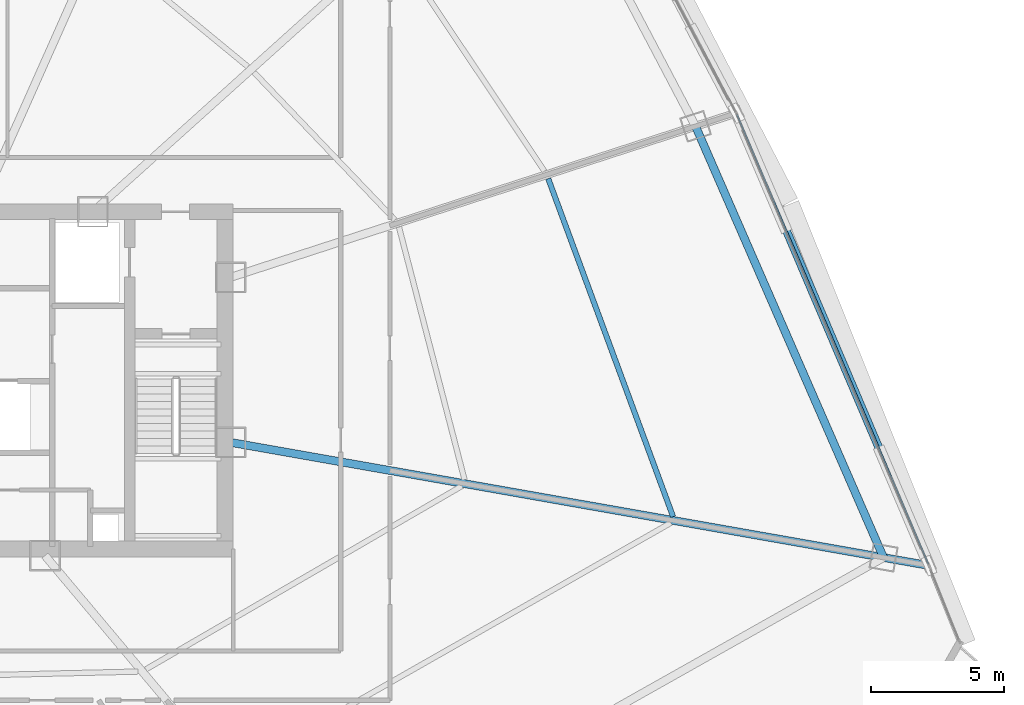
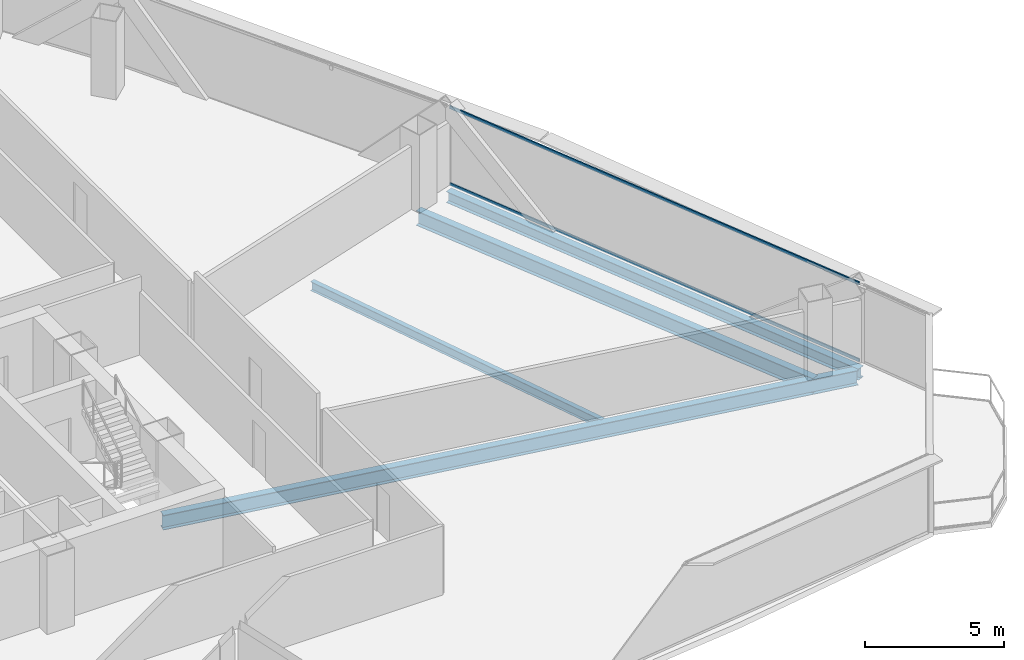
# One storey, part 25 of 39: 4 beams, 2 members, 1 element without a shape of its own.
"""IFC4 building model written with IfcOpenShell, lengths in metres."""

import ifcopenshell
import ifcopenshell.guid

model = None  # the IFC model being written
_history = None  # IfcOwnerHistory: only IFC2X3 demands one
_inside = {}  # id of a spatial element -> (the spatial element, [elements in it])
_under = {}  # id of a project, library or spatial element -> (it, [spatial elements below it])
_declared = {}  # id of a project -> (the project, [libraries it declares])
_typed = {}  # id of a type object -> (the type object, [elements of that type])
_made_of = {}  # id of a material, layer set ... -> (it, [elements and type objects made of it])


def new_model(schema):
    """Start an empty IFC model of exactly this schema.

    Asked for "IFC4X3", IfcOpenShell would pick the latest addendum, in which some entities
    have other attributes; the version numbers below select the first issue.
    IFC2X3 requires an IfcOwnerHistory on every rooted entity: one is made here for all.
    """
    global model, _history
    if schema == "IFC4X3":
        model = ifcopenshell.file(schema_version=(4, 3, 0, 0))
    else:
        model = ifcopenshell.file(schema=schema)
    _inside.clear()
    _under.clear()
    _declared.clear()
    _typed.clear()
    _made_of.clear()
    _history = None
    if model.schema == "IFC2X3":
        org = make("IfcOrganization", Name="unknown")
        user = make(
            "IfcPersonAndOrganization",
            ThePerson=make("IfcPerson", FamilyName="unknown"),
            TheOrganization=org,
        )
        app = make(
            "IfcApplication",
            ApplicationDeveloper=org,
            Version="unknown",
            ApplicationFullName="unknown",
            ApplicationIdentifier="unknown",
        )
        _history = make(
            "IfcOwnerHistory",
            OwningUser=user,
            OwningApplication=app,
            ChangeAction="ADDED",
            CreationDate=0,
        )
    return model


def make(cls, **values):
    """One entity of the class cls with the attributes given. An attribute that is None is left unset."""
    return model.create_entity(
        cls, **{name: value for name, value in values.items() if value is not None}
    )


def rooted(cls, **values):
    """An entity with a GlobalId (a new one), such as an element, a storey or a relation."""
    return make(cls, GlobalId=ifcopenshell.guid.new(), OwnerHistory=_history, **values)


def si_unit(unit_type, name, prefix=None):
    """IfcSIUnit, for example si_unit("LENGTHUNIT", "METRE", prefix="MILLI")."""
    return make("IfcSIUnit", UnitType=unit_type, Prefix=prefix, Name=name)


def assignment(units):
    """IfcUnitAssignment: the units of a project."""
    return None if units is None else make("IfcUnitAssignment", Units=units)


def point(xyz):
    """IfcCartesianPoint."""
    return None if xyz is None else make("IfcCartesianPoint", Coordinates=xyz)


def direction(xyz):
    """IfcDirection."""
    return None if xyz is None else make("IfcDirection", DirectionRatios=xyz)


def frame(location, z_axis=None, x_axis=None):
    """IfcAxis2Placement3D, a coordinate frame: its origin and axes. An axis left out is left unset."""
    return make(
        "IfcAxis2Placement3D",
        Location=point(location),
        Axis=direction(z_axis),
        RefDirection=direction(x_axis),
    )


def frame_2d(location, x_axis=None):
    """IfcAxis2Placement2D, a coordinate frame in the plane: its origin and x axis."""
    return make(
        "IfcAxis2Placement2D", Location=point(location), RefDirection=direction(x_axis)
    )


def origin():
    """The frame at (0, 0, 0) with its axes left unset."""
    return frame((0.0, 0.0, 0.0))


def origin_2d():
    """The frame at (0, 0) in the plane with its x axis left unset."""
    return frame_2d((0.0, 0.0))


def place(relative_to, where):
    """IfcLocalPlacement: puts the frame where relative to a parent placement (None: the world)."""
    return make(
        "IfcLocalPlacement", PlacementRelTo=relative_to, RelativePlacement=where
    )


def context(
    kind, dimensions, precision=None, world=None, true_north=None, identifier=None
):
    """IfcGeometricRepresentationContext, for example the 3D "Model" context."""
    return make(
        "IfcGeometricRepresentationContext",
        ContextIdentifier=identifier,
        ContextType=kind,
        CoordinateSpaceDimension=dimensions,
        Precision=precision,
        WorldCoordinateSystem=world,
        TrueNorth=true_north,
    )


def subcontext(parent, identifier, kind, view, scale=None):
    """IfcGeometricRepresentationSubContext, for example "Body" below "Model"."""
    return make(
        "IfcGeometricRepresentationSubContext",
        ContextIdentifier=identifier,
        ContextType=kind,
        ParentContext=parent,
        TargetScale=scale,
        TargetView=view,
    )


def project(units=None, contexts=None):
    """IfcProject with its units and contexts."""
    return rooted(
        "IfcProject",
        Name="project",
        RepresentationContexts=contexts,
        UnitsInContext=assignment(units),
    )


def spatial(cls, under=None, at=None, **own):
    """A site, building, storey or space (cls), placed at a placement, below another one or the project."""
    s = rooted(cls, ObjectPlacement=at, **own)
    if under is not None:
        _under.setdefault(under.id(), (under, []))[1].append(s)
    return s


def profile(cls, at=None, kind="AREA", **sizes):
    """A parametric profile (cls). Its sizes go by their IFC names, for example OverallWidth=200.0."""
    return make(cls, ProfileType=kind, Position=at, **sizes)


def hollow_rectangle(**sizes):
    """IfcRectangleHollowProfileDef."""
    return profile("IfcRectangleHollowProfileDef", **sizes)


def i_section(**sizes):
    """IfcIShapeProfileDef."""
    return profile("IfcIShapeProfileDef", **sizes)


def extrude(swept, where, along, depth):
    """IfcExtrudedAreaSolid: the profile swept, set in the frame where, extruded along a direction by depth."""
    return make(
        "IfcExtrudedAreaSolid",
        SweptArea=swept,
        Position=where,
        ExtrudedDirection=direction(along),
        Depth=depth,
    )


def shape(context_of_items, identifier, shape_type, items):
    """IfcShapeRepresentation: the items that make up one representation, for example the "Body"."""
    return make(
        "IfcShapeRepresentation",
        ContextOfItems=context_of_items,
        RepresentationIdentifier=identifier,
        RepresentationType=shape_type,
        Items=items,
    )


def source(mapping_origin, context_of_items, identifier, shape_type, items):
    """IfcRepresentationMap: a shape defined once, which mapped items show again and again."""
    return make(
        "IfcRepresentationMap",
        MappingOrigin=mapping_origin,
        MappedRepresentation=shape(context_of_items, identifier, shape_type, items),
    )


def transform(
    local_origin,
    x_axis=None,
    y_axis=None,
    z_axis=None,
    scale=None,
    scale2=None,
    scale3=None,
    uniform=True,
):
    """IfcCartesianTransformationOperator3D, or its non-uniform kind. x_axis, y_axis, z_axis: its Axis1, 2, 3."""
    if uniform:
        return make(
            "IfcCartesianTransformationOperator3D",
            Axis1=direction(x_axis),
            Axis2=direction(y_axis),
            LocalOrigin=point(local_origin),
            Scale=scale,
            Axis3=direction(z_axis),
        )
    return make(
        "IfcCartesianTransformationOperator3DnonUniform",
        Axis1=direction(x_axis),
        Axis2=direction(y_axis),
        LocalOrigin=point(local_origin),
        Scale=scale,
        Axis3=direction(z_axis),
        Scale2=scale2,
        Scale3=scale3,
    )


def mapped(mapping_source, mapping_target):
    """IfcMappedItem: shows the shape of a source again, moved by a transform."""
    return make(
        "IfcMappedItem", MappingSource=mapping_source, MappingTarget=mapping_target
    )


def material(Name=None, Category=None):
    """IfcMaterial."""
    return make("IfcMaterial", Name=Name, Category=Category)


def layer(
    of_material, thickness, ventilated=None, Name=None, Category=None, Priority=None
):
    """IfcMaterialLayer: one layer of a wall or slab, of a material (None: an air gap)."""
    return make(
        "IfcMaterialLayer",
        Material=of_material,
        LayerThickness=thickness,
        IsVentilated=ventilated,
        Name=Name,
        Category=Category,
        Priority=Priority,
    )


def layer_set(layers, Name=None):
    """IfcMaterialLayerSet."""
    return make("IfcMaterialLayerSet", MaterialLayers=layers, LayerSetName=Name)


def material_profile(
    of_material, cross_section, Name=None, Category=None, Priority=None
):
    """IfcMaterialProfile: a cross section and its material."""
    return make(
        "IfcMaterialProfile",
        Name=Name,
        Material=of_material,
        Profile=cross_section,
        Priority=Priority,
        Category=Category,
    )


def profile_set(profiles, Name=None, composite=None):
    """IfcMaterialProfileSet."""
    return make(
        "IfcMaterialProfileSet",
        Name=Name,
        MaterialProfiles=profiles,
        CompositeProfile=composite,
    )


def made_of(thing, what):
    """Note that an element or type object is made of a material, layer set ...; save() writes the relation."""
    if what is not None:
        _made_of.setdefault(what.id(), (what, []))[1].append(thing)
    return thing


def type_object(cls, material=None, **own):
    """A type object (cls), such as IfcWallType, which elements share."""
    return made_of(rooted(cls, **own), material)


def element(
    cls,
    number,
    at=None,
    inside=None,
    cuts=None,
    type_object=None,
    material=None,
    context=None,
    identifier="Body",
    shape_type=None,
    held_by="IfcProductDefinitionShape",
    body=None,
    shapes=None,
    **own,
):
    """One element of the class cls, such as IfcWall. Its Tag is "e" and its number.

    at: its placement. inside: the storey or other place that contains it. cuts: it is an
    opening in that element (IfcRelVoidsElement). A single representation is given by context,
    identifier, shape_type and body (its items); several are given by shapes. held_by: the class
    of the entity that holds the representations. save() writes the other relations.
    """
    e = rooted(cls, Tag="e%d" % number, ObjectPlacement=at, **own)
    if body is not None:
        shapes = [shape(context, identifier, shape_type, body)]
    if shapes is not None:
        e.Representation = make(held_by, Representations=shapes)
    if inside is not None:
        _inside.setdefault(inside.id(), (inside, []))[1].append(e)
    if cuts is not None:
        rooted(
            "IfcRelVoidsElement", RelatingBuildingElement=cuts, RelatedOpeningElement=e
        )
    if type_object is not None:
        _typed.setdefault(type_object.id(), (type_object, []))[1].append(e)
    return made_of(e, material)


def aggregate(whole, parts):
    """IfcRelAggregates: a whole, such as a stair, and the parts it consists of."""
    return rooted("IfcRelAggregates", RelatingObject=whole, RelatedObjects=parts)


def save(model, path):
    """Write the relations noted so far, then the file.

    IfcRelAggregates (storeys below a building ...), IfcRelContainedInSpatialStructure (elements
    in a storey), IfcRelDefinesByType, IfcRelAssociatesMaterial and IfcRelDeclares: one each for
    every whole, place, type object, material and project.
    """
    for whole, parts in _under.values():
        aggregate(whole, parts)
    for where, things in _inside.values():
        rooted(
            "IfcRelContainedInSpatialStructure",
            RelatedElements=things,
            RelatingStructure=where,
        )
    for kind, things in _typed.values():
        rooted("IfcRelDefinesByType", RelatedObjects=things, RelatingType=kind)
    for what, things in _made_of.values():
        rooted("IfcRelAssociatesMaterial", RelatedObjects=things, RelatingMaterial=what)
    for by, libraries in _declared.values():
        rooted("IfcRelDeclares", RelatingContext=by, RelatedDefinitions=libraries)
    model.write(path)


model = new_model("IFC4")

# Units and contexts
model_context = context("Model", 3, precision=1e-05, world=origin(), true_north=direction((0.0, 1.0)))
body_context = subcontext(model_context, "Body", "Model", "MODEL_VIEW")
ifc_project = project(units=[si_unit("LENGTHUNIT", "METRE"), si_unit("AREAUNIT", "SQUARE_METRE"), si_unit("VOLUMEUNIT", "CUBIC_METRE"), si_unit("PLANEANGLEUNIT", "RADIAN"), si_unit("MASSUNIT", "GRAM", prefix="KILO"), si_unit("THERMODYNAMICTEMPERATUREUNIT", "KELVIN"), si_unit("POWERUNIT", "WATT")], contexts=[model_context])

# Site, building, storey
site_placement = place(None, origin())
site = spatial("IfcSite", under=ifc_project, at=site_placement, CompositionType="ELEMENT")
building_placement = place(site_placement, origin())
building = spatial("IfcBuilding", under=site, at=building_placement, Name="Yunzhuo Pagoda Commons", CompositionType="ELEMENT")
storey_placement = place(building_placement, frame((0.0, 0.0, 140.8701171875)))
storey = spatial("IfcBuildingStorey", under=building, at=storey_placement, Name="L35", CompositionType="ELEMENT", Elevation=140.8701171875)

# Beams
ifc_material_1 = material(Name="Structural steel Q355B", Category="steel")
ifc_material_profile_1 = material_profile(ifc_material_1, i_section(OverallWidth=0.300048828125, OverallDepth=0.64990234375, WebThickness=0.012939453125, FlangeThickness=0.02197265625, at=origin_2d()), Name="Structural steel Q355B")
ifc_profile_set_1 = profile_set([ifc_material_profile_1], Name="Structural steel Q355B")
beam_type_1 = type_object("IfcBeamType", Name="B-RG2 Beam HN 650x300x13x22", PredefinedType="BEAM", material=ifc_profile_set_1)
shared_shape_1 = source(origin(), body_context, "Body", "SweptSolid", [
    extrude(i_section(OverallWidth=0.300048828125, OverallDepth=0.64990234375, WebThickness=0.012939453125, FlangeThickness=0.02197265625, at=origin_2d()), origin(), (0.0, 0.0, 1.0), 17.72021484375),
])
beam_1_placement = place(storey_placement, frame((84.9970703125, 27.176513671875, -0.585205078125), z_axis=(-0.399643307961, 0.916670729544, 0.0), x_axis=(-0.916670729544, -0.399643307961, 0.0)))
element("IfcBeam", 1, at=beam_1_placement, inside=storey, type_object=beam_type_1, Name="L35 column-ring beam 5", PredefinedType="BEAM", context=body_context, shape_type="MappedRepresentation", body=[
    mapped(shared_shape_1, transform((0.0, 0.0, 0.0), scale=1.0)),
])
ifc_material_profile_2 = material_profile(ifc_material_1, i_section(OverallWidth=0.199951171875, OverallDepth=0.39990234375, WebThickness=0.008056640625, FlangeThickness=0.012939453125, at=origin_2d()), Name="Structural steel Q355B")
ifc_profile_set_2 = profile_set([ifc_material_profile_2], Name="Structural steel Q355B")
beam_type_2 = type_object("IfcBeamType", Name="B-JS1 Joist HN 400x200x8x13", PredefinedType="JOIST", material=ifc_profile_set_2)
shared_shape_2 = source(origin(), body_context, "Body", "SweptSolid", [
    extrude(i_section(OverallWidth=0.199951171875, OverallDepth=0.39990234375, WebThickness=0.008056640625, FlangeThickness=0.012939453125, at=origin_2d()), origin(), (0.0, 0.0, 1.0), 13.57763671875),
])
beam_2_placement = place(storey_placement, frame((77.07080078125, 28.71337890625, -0.460205078125), z_axis=(-0.346531829181, 0.938038214235, 0.0), x_axis=(-0.938038214235, -0.346531829181, 0.0)))
element("IfcBeam", 2, at=beam_2_placement, inside=storey, type_object=beam_type_2, Name="L35 composite ring joist 2.5", PredefinedType="JOIST", context=body_context, shape_type="MappedRepresentation", body=[
    mapped(shared_shape_2, transform((0.0, 0.0, 0.0), scale=1.0)),
])
shared_shape_3 = source(origin(), body_context, "Body", "SweptSolid", [
    extrude(i_section(OverallWidth=0.300048828125, OverallDepth=0.64990234375, WebThickness=0.012939453125, FlangeThickness=0.02197265625, at=origin_2d()), origin(), (0.0, 0.0, 1.0), 26.560302734375),
])
beam_3_placement = place(storey_placement, frame((86.556640625, 26.901611328125, -0.585205078125), z_axis=(-0.98480982797, 0.173636409587, 0.0), x_axis=(-0.173636409587, -0.98480982797, 0.0)))
element("IfcBeam", 3, at=beam_3_placement, inside=storey, type_object=beam_type_1, Name="L35 radial floor girder F2C1", PredefinedType="BEAM", context=body_context, shape_type="MappedRepresentation", body=[
    mapped(shared_shape_3, transform((0.0, 0.0, 0.0), scale=1.0)),
])
ifc_material_profile_3 = material_profile(ifc_material_1, i_section(OverallWidth=0.300048828125, OverallDepth=0.488037109375, WebThickness=0.010986328125, FlangeThickness=0.01806640625, at=origin_2d()), Name="Structural steel Q355B")
ifc_profile_set_3 = profile_set([ifc_material_profile_3], Name="Structural steel Q355B")
beam_type_3 = type_object("IfcBeamType", Name="B-SP1 Beam HM 488x300x11x18", PredefinedType="BEAM", material=ifc_profile_set_3)
shared_shape_4 = source(origin(), body_context, "Body", "SweptSolid", [
    extrude(i_section(OverallWidth=0.300048828125, OverallDepth=0.488037109375, WebThickness=0.010986328125, FlangeThickness=0.01806640625, at=origin_2d()), origin(), (0.0, 0.0, 1.0), 18.525634765625),
])
beam_4_placement = place(storey_placement, frame((86.708984375, 26.87451171875, -0.504150390625), z_axis=(-0.391745555192, 0.920073594876, 0.0), x_axis=(-0.920073594876, -0.391745555192, 0.0)))
element("IfcBeam", 4, at=beam_4_placement, inside=storey, type_object=beam_type_3, Name="L35 facade edge spandrel beam F2.1", PredefinedType="BEAM", context=body_context, shape_type="MappedRepresentation", body=[
    mapped(shared_shape_4, transform((0.0, 0.0, 0.0), scale=1.0)),
])

# Curtain wall, members
ifc_material_2 = material(Name="Anodized aluminium 6063-T6", Category="aluminium")
ifc_layer = layer(ifc_material_2, 0.14990234375)
ifc_layer_set = layer_set([ifc_layer], Name="Anodized aluminium 6063-T6")
curtain_wall_type = type_object("IfcCurtainWallType", Name="CW-MID Mid-Zone Ribbon Curtain Wall", PredefinedType="NOTDEFINED", material=ifc_layer_set)
curtain_wall_placement = place(storey_placement, origin())
curtain_wall = element("IfcCurtainWall", 5, at=curtain_wall_placement, inside=storey, type_object=curtain_wall_type, Name="L35 curtain wall CW-L35-F2B2", PredefinedType="NOTDEFINED")
ifc_material_profile_4 = material_profile(ifc_material_2, hollow_rectangle(XDim=0.054931640625, YDim=0.1298828125, WallThickness=0.00341796875, at=origin_2d()), Name="Anodized aluminium 6063-T6")
ifc_profile_set_4 = profile_set([ifc_material_profile_4], Name="Anodized aluminium 6063-T6")
member_type = type_object("IfcMemberType", Name="CW-MID-T Transom RHS 130x55x3.5", PredefinedType="USERDEFINED", material=ifc_profile_set_4)
shared_shape_5 = source(origin(), body_context, "Body", "SweptSolid", [
    extrude(hollow_rectangle(XDim=0.054931640625, YDim=0.1298828125, WallThickness=0.00341796875, at=origin_2d()), origin(), (0.0, 0.0, 1.0), 18.4052734375),
])
member_1_placement = place(storey_placement, frame((86.685546875, 26.929931640625, 0.02734375), z_axis=(-0.391760180447, 0.920067367651, 0.0), x_axis=(-0.920067367651, -0.391760180447, 0.0)))
member_1 = element("IfcMember", 6, at=member_1_placement, type_object=member_type, Name="CW transom 1.1", ObjectType="TRANSOM", PredefinedType="USERDEFINED", context=body_context, shape_type="MappedRepresentation", body=[
    mapped(shared_shape_5, transform((0.0, 0.0, 0.0), scale=1.0)),
])
member_2_placement = place(storey_placement, frame((86.685546875, 26.929931640625, 3.392333984375), z_axis=(-0.391760180447, 0.920067367651, 0.0), x_axis=(-0.920067367651, -0.391760180447, 0.0)))
member_2 = element("IfcMember", 7, at=member_2_placement, type_object=member_type, Name="CW transom 1.2", ObjectType="TRANSOM", PredefinedType="USERDEFINED", context=body_context, shape_type="MappedRepresentation", body=[
    mapped(shared_shape_5, transform((0.0, 0.0, 0.0), scale=1.0)),
])
aggregate(curtain_wall, [member_1, member_2])

save(model, "model.ifc")
